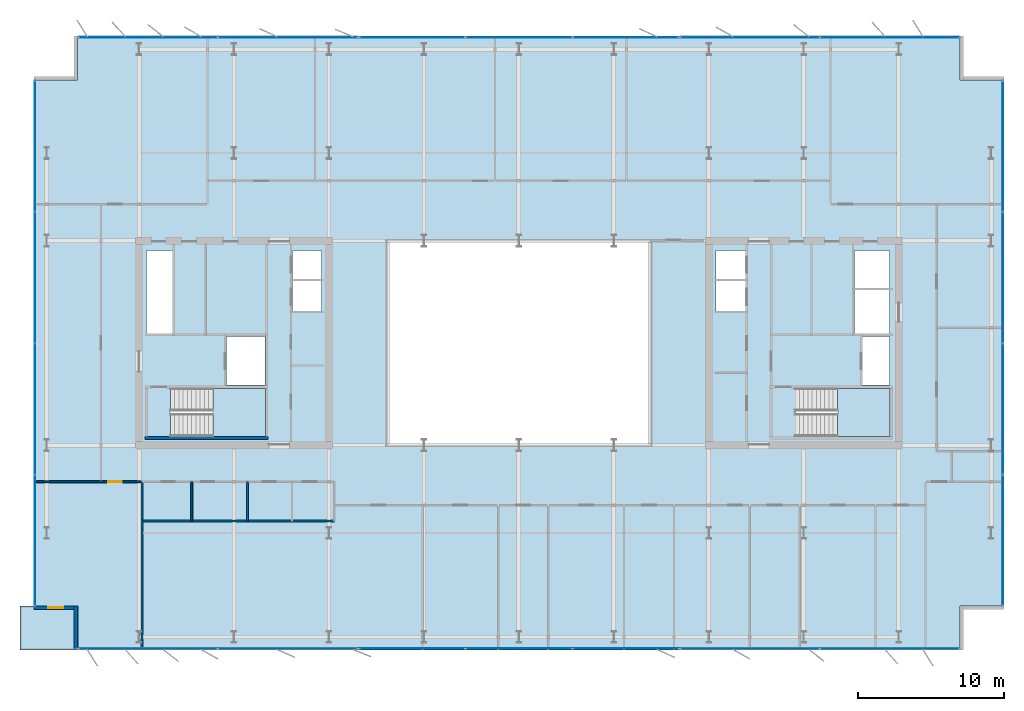
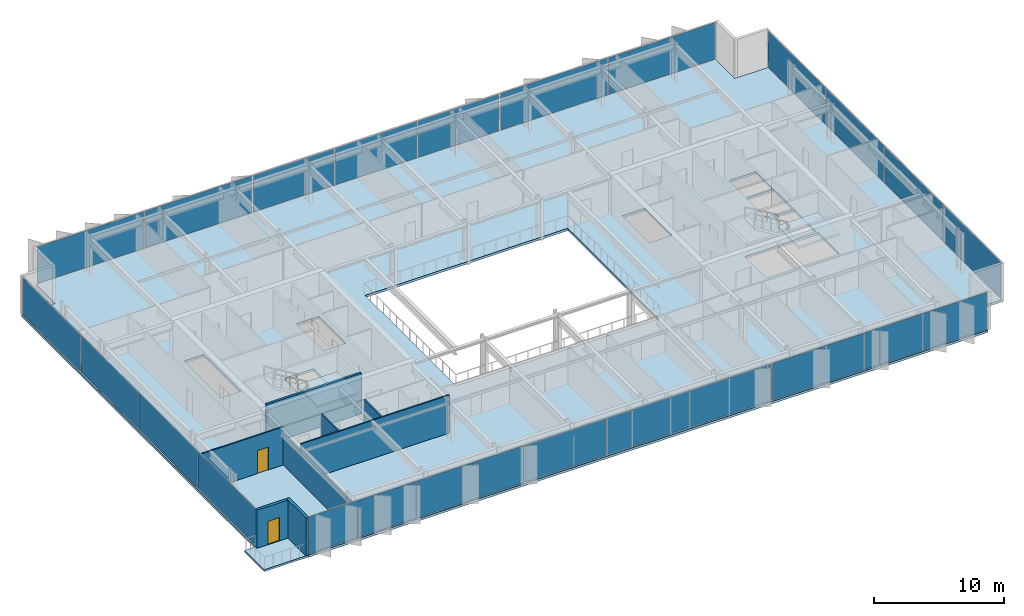
# One storey, part 16 of 24: 22 plates, 8 walls, 4 slabs, 2 doors, 2 openings, 10 elements without a shape of their own.
"""IFC4 building model written with IfcOpenShell, lengths in metres."""

from ifc_helpers import new_model, si_unit, direction, frame, frame_2d, origin, origin_2d, place, context, subcontext, project, spatial, polyline, rectangle, outline, extrude, material, layer, layer_set, type_object, element, fill, aggregate, save


model = new_model("IFC4")

# Units and contexts
model_context = context("Model", 3, precision=1e-05, world=origin(), true_north=direction((0.0, 1.0)))
body_context = subcontext(model_context, "Body", "Model", "MODEL_VIEW")
ifc_project = project(units=[si_unit("LENGTHUNIT", "METRE"), si_unit("AREAUNIT", "SQUARE_METRE"), si_unit("VOLUMEUNIT", "CUBIC_METRE"), si_unit("PLANEANGLEUNIT", "RADIAN"), si_unit("MASSUNIT", "GRAM", prefix="KILO")], contexts=[model_context])

# Site, building, storey
site_placement = place(None, origin())
site = spatial("IfcSite", under=ifc_project, at=site_placement, CompositionType="ELEMENT")
building_placement = place(site_placement, origin())
building = spatial("IfcBuilding", under=site, at=building_placement, Name="Putna Gate Headquarters", CompositionType="ELEMENT")
storey_placement = place(building_placement, frame((0.0, 0.0, 236.60009765625)))
storey = spatial("IfcBuildingStorey", under=building, at=storey_placement, Name="L59", CompositionType="ELEMENT", Elevation=236.60009765625)

# Stair, slab
ifc_material_1 = material(Name="Concrete C40/50", Category="concrete")
stair_type_1 = type_object("IfcStairType", Name="STAIR-ST1", PredefinedType="HALF_TURN_STAIR", material=ifc_material_1)
stair_1_placement = place(storey_placement, origin())
stair_1 = element("IfcStair", 1, at=stair_1_placement, inside=storey, type_object=stair_type_1, Name="L59 West Core Exit Stair ST1", PredefinedType="HALF_TURN_STAIR")
ifc_layer_1 = layer(ifc_material_1, 0.199951171875)
ifc_layer_set_1 = layer_set([ifc_layer_1], Name="Concrete C40/50")
slab_type_1 = type_object("IfcSlabType", Name="LANDING-ST1", PredefinedType="LANDING", material=ifc_layer_set_1)
slab_1_placement = place(storey_placement, frame((0.0, 0.0, 1.699951171875)))
slab_1 = element("IfcSlab", 2, at=slab_1_placement, type_object=slab_type_1, Name="ST1 landing 1", PredefinedType="LANDING", context=body_context, shape_type="SweptSolid", body=[
    extrude(outline(polyline([(18.050048828125, 19.60009765625), (21.64990234375, 19.60009765625), (21.64990234375, 22.89990234375), (18.050048828125, 22.89990234375), (18.050048828125, 19.60009765625)])), origin(), (0.0, 0.0, 1.0), 0.199951171875),
])
aggregate(stair_1, [slab_1])

stair_type_2 = type_object("IfcStairType", Name="STAIR-ST2", PredefinedType="HALF_TURN_STAIR", material=ifc_material_1)
stair_2_placement = place(storey_placement, origin())
stair_2 = element("IfcStair", 3, at=stair_2_placement, inside=storey, type_object=stair_type_2, Name="L59 East Core Exit Stair ST2", PredefinedType="HALF_TURN_STAIR")
ifc_layer_2 = layer(ifc_material_1, 0.199951171875)
ifc_layer_set_2 = layer_set([ifc_layer_2], Name="Concrete C40/50")
slab_type_2 = type_object("IfcSlabType", Name="LANDING-ST2", PredefinedType="LANDING", material=ifc_layer_set_2)
slab_2_placement = place(storey_placement, frame((0.0, 0.0, 1.699951171875)))
slab_2 = element("IfcSlab", 4, at=slab_2_placement, type_object=slab_type_2, Name="ST2 landing 1", PredefinedType="LANDING", context=body_context, shape_type="SweptSolid", body=[
    extrude(outline(polyline([(60.800048828125, 19.60009765625), (64.39990234375, 19.60009765625), (64.39990234375, 22.89990234375), (60.800048828125, 22.89990234375), (60.800048828125, 19.60009765625)])), origin(), (0.0, 0.0, 1.0), 0.199951171875),
])
aggregate(stair_2, [slab_2])

# Curtain wall, plates
ifc_material_2 = material(Name="Anodised bronze aluminium curtain wall", Category="aluminium")
ifc_layer_3 = layer(ifc_material_2, 0.139892578125)
ifc_layer_set_3 = layer_set([ifc_layer_3], Name="Anodised bronze aluminium curtain wall")
curtain_wall_type_1 = type_object("IfcCurtainWallType", Name="CW-SYS-Z4", PredefinedType="USERDEFINED", material=ifc_layer_set_3)
curtain_wall_1_placement = place(storey_placement, origin())
curtain_wall_1 = element("IfcCurtainWall", 5, at=curtain_wall_1_placement, inside=storey, type_object=curtain_wall_type_1, Name="L59 South West Curtain Wall", ObjectType="STICK CURTAIN WALL", PredefinedType="USERDEFINED")
ifc_material_3 = material(Name="Solar-control triple low-E glass", Category="glass")
ifc_layer_4 = layer(ifc_material_3, 0.02587890625)
ifc_layer_set_4 = layer_set([ifc_layer_4], Name="Solar-control triple low-E glass")
plate_type_1 = type_object("IfcPlateType", Name="PAN-CWP-4", PredefinedType="CURTAIN_PANEL", material=ifc_layer_set_4)
plate_1_placement = place(storey_placement, frame((13.614990234375, 5.080078125, 0.059814453125), z_axis=(0.0, 0.0, 1.0), x_axis=(1.0, 0.0, 0.0)))
plate_1 = element("IfcPlate", 6, at=plate_1_placement, type_object=plate_type_1, Name="CWS-4 panel 1.1", PredefinedType="CURTAIN_PANEL", context=body_context, shape_type="SweptSolid", body=[
    extrude(rectangle(XDim=9.510009765625, YDim=0.02587890625, at=origin_2d()), origin(), (0.0, 0.0, 1.0), 3.4599609375),
])
plate_2_placement = place(storey_placement, frame((23.18505859375, 5.080078125, 0.059814453125), z_axis=(0.0, 0.0, 1.0), x_axis=(1.0, 0.0, 0.0)))
plate_2 = element("IfcPlate", 7, at=plate_2_placement, type_object=plate_type_1, Name="CWS-4 panel 2.1", PredefinedType="CURTAIN_PANEL", context=body_context, shape_type="SweptSolid", body=[
    extrude(rectangle(XDim=9.510009765625, YDim=0.02587890625, at=origin_2d()), origin(), (0.0, 0.0, 1.0), 3.4599609375),
])
aggregate(curtain_wall_1, [plate_1, plate_2])

curtain_wall_2_placement = place(storey_placement, origin())
curtain_wall_2 = element("IfcCurtainWall", 8, at=curtain_wall_2_placement, inside=storey, type_object=curtain_wall_type_1, Name="L59 South East Curtain Wall", ObjectType="STICK CURTAIN WALL", PredefinedType="USERDEFINED")
plate_3_placement = place(storey_placement, frame((54.81494140625, 5.080078125, 0.059814453125), z_axis=(0.0, 0.0, 1.0), x_axis=(1.0, 0.0, 0.0)))
plate_3 = element("IfcPlate", 9, at=plate_3_placement, type_object=plate_type_1, Name="CWS-4 panel 1.1", PredefinedType="CURTAIN_PANEL", context=body_context, shape_type="SweptSolid", body=[
    extrude(rectangle(XDim=9.510009765625, YDim=0.02587890625, at=origin_2d()), origin(), (0.0, 0.0, 1.0), 3.4599609375),
])
plate_4_placement = place(storey_placement, frame((64.385009765625, 5.080078125, 0.059814453125), z_axis=(0.0, 0.0, 1.0), x_axis=(1.0, 0.0, 0.0)))
plate_4 = element("IfcPlate", 10, at=plate_4_placement, type_object=plate_type_1, Name="CWS-4 panel 2.1", PredefinedType="CURTAIN_PANEL", context=body_context, shape_type="SweptSolid", body=[
    extrude(rectangle(XDim=9.510009765625, YDim=0.02587890625, at=origin_2d()), origin(), (0.0, 0.0, 1.0), 3.4599609375),
])
aggregate(curtain_wall_2, [plate_3, plate_4])

curtain_wall_3_placement = place(storey_placement, origin())
curtain_wall_3 = element("IfcCurtainWall", 11, at=curtain_wall_3_placement, inside=storey, type_object=curtain_wall_type_1, Name="L59 North West Curtain Wall", ObjectType="STICK CURTAIN WALL", PredefinedType="USERDEFINED")
plate_5_placement = place(storey_placement, frame((13.614990234375, 46.919921875, 0.059814453125), z_axis=(0.0, 0.0, 1.0), x_axis=(1.0, 0.0, 0.0)))
plate_5 = element("IfcPlate", 12, at=plate_5_placement, type_object=plate_type_1, Name="CWS-4 panel 1.1", PredefinedType="CURTAIN_PANEL", context=body_context, shape_type="SweptSolid", body=[
    extrude(rectangle(XDim=9.510009765625, YDim=0.02587890625, at=origin_2d()), origin(), (0.0, 0.0, 1.0), 3.4599609375),
])
plate_6_placement = place(storey_placement, frame((23.18505859375, 46.919921875, 0.059814453125), z_axis=(0.0, 0.0, 1.0), x_axis=(1.0, 0.0, 0.0)))
plate_6 = element("IfcPlate", 13, at=plate_6_placement, type_object=plate_type_1, Name="CWS-4 panel 2.1", PredefinedType="CURTAIN_PANEL", context=body_context, shape_type="SweptSolid", body=[
    extrude(rectangle(XDim=9.510009765625, YDim=0.02587890625, at=origin_2d()), origin(), (0.0, 0.0, 1.0), 3.4599609375),
])
aggregate(curtain_wall_3, [plate_5, plate_6])

curtain_wall_4_placement = place(storey_placement, origin())
curtain_wall_4 = element("IfcCurtainWall", 14, at=curtain_wall_4_placement, inside=storey, type_object=curtain_wall_type_1, Name="L59 North East Curtain Wall", ObjectType="STICK CURTAIN WALL", PredefinedType="USERDEFINED")
plate_7_placement = place(storey_placement, frame((54.81494140625, 46.919921875, 0.059814453125), z_axis=(0.0, 0.0, 1.0), x_axis=(1.0, 0.0, 0.0)))
plate_7 = element("IfcPlate", 15, at=plate_7_placement, type_object=plate_type_1, Name="CWS-4 panel 1.1", PredefinedType="CURTAIN_PANEL", context=body_context, shape_type="SweptSolid", body=[
    extrude(rectangle(XDim=9.510009765625, YDim=0.02587890625, at=origin_2d()), origin(), (0.0, 0.0, 1.0), 3.4599609375),
])
plate_8_placement = place(storey_placement, frame((64.385009765625, 46.919921875, 0.059814453125), z_axis=(0.0, 0.0, 1.0), x_axis=(1.0, 0.0, 0.0)))
plate_8 = element("IfcPlate", 16, at=plate_8_placement, type_object=plate_type_1, Name="CWS-4 panel 2.1", PredefinedType="CURTAIN_PANEL", context=body_context, shape_type="SweptSolid", body=[
    extrude(rectangle(XDim=9.510009765625, YDim=0.02587890625, at=origin_2d()), origin(), (0.0, 0.0, 1.0), 3.4599609375),
])
aggregate(curtain_wall_4, [plate_7, plate_8])

curtain_wall_5_placement = place(storey_placement, origin())
curtain_wall_5 = element("IfcCurtainWall", 17, at=curtain_wall_5_placement, inside=storey, type_object=curtain_wall_type_1, Name="L59 West Curtain Wall", ObjectType="STICK CURTAIN WALL", PredefinedType="USERDEFINED")
plate_9_placement = place(storey_placement, frame((5.8798828125, 12.514892578125, 0.059814453125), z_axis=(0.0, 0.0, 1.0), x_axis=(0.0, 1.0, 0.0)))
plate_9 = element("IfcPlate", 18, at=plate_9_placement, type_object=plate_type_1, Name="CWS-4 panel 1.1", PredefinedType="CURTAIN_PANEL", context=body_context, shape_type="SweptSolid", body=[
    extrude(rectangle(XDim=8.909912109375, YDim=0.02587890625, at=origin_2d()), origin(), (0.0, 0.0, 1.0), 3.4599609375),
])
plate_10_placement = place(storey_placement, frame((5.8798828125, 21.5, 0.059814453125), z_axis=(0.0, 0.0, 1.0), x_axis=(0.0, 1.0, 0.0)))
plate_10 = element("IfcPlate", 19, at=plate_10_placement, type_object=plate_type_1, Name="CWS-4 panel 2.1", PredefinedType="CURTAIN_PANEL", context=body_context, shape_type="SweptSolid", body=[
    extrude(rectangle(XDim=8.93994140625, YDim=0.02587890625, at=origin_2d()), origin(), (0.0, 0.0, 1.0), 3.4599609375),
])
plate_11_placement = place(storey_placement, frame((5.8798828125, 30.5, 0.059814453125), z_axis=(0.0, 0.0, 1.0), x_axis=(0.0, 1.0, 0.0)))
plate_11 = element("IfcPlate", 20, at=plate_11_placement, type_object=plate_type_1, Name="CWS-4 panel 3.1", PredefinedType="CURTAIN_PANEL", context=body_context, shape_type="SweptSolid", body=[
    extrude(rectangle(XDim=8.93994140625, YDim=0.02587890625, at=origin_2d()), origin(), (0.0, 0.0, 1.0), 3.4599609375),
])
plate_12_placement = place(storey_placement, frame((5.8798828125, 39.485107421875, 0.059814453125), z_axis=(0.0, 0.0, 1.0), x_axis=(0.0, 1.0, 0.0)))
plate_12 = element("IfcPlate", 21, at=plate_12_placement, type_object=plate_type_1, Name="CWS-4 panel 4.1", PredefinedType="CURTAIN_PANEL", context=body_context, shape_type="SweptSolid", body=[
    extrude(rectangle(XDim=8.909912109375, YDim=0.02587890625, at=origin_2d()), origin(), (0.0, 0.0, 1.0), 3.4599609375),
])
aggregate(curtain_wall_5, [plate_9, plate_10, plate_11, plate_12])

curtain_wall_6_placement = place(storey_placement, origin())
curtain_wall_6 = element("IfcCurtainWall", 22, at=curtain_wall_6_placement, inside=storey, type_object=curtain_wall_type_1, Name="L59 East Curtain Wall", ObjectType="STICK CURTAIN WALL", PredefinedType="USERDEFINED")
plate_13_placement = place(storey_placement, frame((72.1201171875, 12.514892578125, 0.059814453125), z_axis=(0.0, 0.0, 1.0), x_axis=(0.0, 1.0, 0.0)))
plate_13 = element("IfcPlate", 23, at=plate_13_placement, type_object=plate_type_1, Name="CWS-4 panel 1.1", PredefinedType="CURTAIN_PANEL", context=body_context, shape_type="SweptSolid", body=[
    extrude(rectangle(XDim=8.909912109375, YDim=0.02587890625, at=origin_2d()), origin(), (0.0, 0.0, 1.0), 3.4599609375),
])
plate_14_placement = place(storey_placement, frame((72.1201171875, 21.5, 0.059814453125), z_axis=(0.0, 0.0, 1.0), x_axis=(0.0, 1.0, 0.0)))
plate_14 = element("IfcPlate", 24, at=plate_14_placement, type_object=plate_type_1, Name="CWS-4 panel 2.1", PredefinedType="CURTAIN_PANEL", context=body_context, shape_type="SweptSolid", body=[
    extrude(rectangle(XDim=8.93994140625, YDim=0.02587890625, at=origin_2d()), origin(), (0.0, 0.0, 1.0), 3.4599609375),
])
plate_15_placement = place(storey_placement, frame((72.1201171875, 30.5, 0.059814453125), z_axis=(0.0, 0.0, 1.0), x_axis=(0.0, 1.0, 0.0)))
plate_15 = element("IfcPlate", 25, at=plate_15_placement, type_object=plate_type_1, Name="CWS-4 panel 3.1", PredefinedType="CURTAIN_PANEL", context=body_context, shape_type="SweptSolid", body=[
    extrude(rectangle(XDim=8.93994140625, YDim=0.02587890625, at=origin_2d()), origin(), (0.0, 0.0, 1.0), 3.4599609375),
])
plate_16_placement = place(storey_placement, frame((72.1201171875, 39.485107421875, 0.059814453125), z_axis=(0.0, 0.0, 1.0), x_axis=(0.0, 1.0, 0.0)))
plate_16 = element("IfcPlate", 26, at=plate_16_placement, type_object=plate_type_1, Name="CWS-4 panel 4.1", PredefinedType="CURTAIN_PANEL", context=body_context, shape_type="SweptSolid", body=[
    extrude(rectangle(XDim=8.909912109375, YDim=0.02587890625, at=origin_2d()), origin(), (0.0, 0.0, 1.0), 3.4599609375),
])
aggregate(curtain_wall_6, [plate_13, plate_14, plate_15, plate_16])

ifc_layer_5 = layer(ifc_material_2, 0.179931640625)
ifc_layer_set_5 = layer_set([ifc_layer_5], Name="Anodised bronze aluminium curtain wall")
curtain_wall_type_2 = type_object("IfcCurtainWallType", Name="CW-SYS-ATR", PredefinedType="USERDEFINED", material=ifc_layer_set_5)
curtain_wall_7_placement = place(storey_placement, origin())
curtain_wall_7 = element("IfcCurtainWall", 27, at=curtain_wall_7_placement, inside=storey, type_object=curtain_wall_type_2, Name="L59 South Atrium Clear Glazing", ObjectType="ATRIUM GLAZING", PredefinedType="USERDEFINED")
ifc_material_4 = material(Name="Clear low-iron triple glazing", Category="glass")
ifc_layer_6 = layer(ifc_material_4, 0.0400390625)
ifc_layer_set_6 = layer_set([ifc_layer_6], Name="Clear low-iron triple glazing")
plate_type_2 = type_object("IfcPlateType", Name="PAN-CWP-AT", PredefinedType="CURTAIN_PANEL", material=ifc_layer_set_6)
plate_17_placement = place(storey_placement, frame((31.68408203125, 5.080078125, 0.06982421875), z_axis=(0.0, 0.0, 1.0), x_axis=(1.0, 0.0, 0.0)))
plate_17 = element("IfcPlate", 28, at=plate_17_placement, type_object=plate_type_2, Name="CWS-AT panel 1.1", PredefinedType="CURTAIN_PANEL", context=body_context, shape_type="SweptSolid", body=[
    extrude(rectangle(XDim=7.228271484375, YDim=0.0400390625, at=origin_2d()), origin(), (0.0, 0.0, 1.0), 3.43994140625),
])
plate_18_placement = place(storey_placement, frame((39.0, 5.080078125, 0.06982421875), z_axis=(0.0, 0.0, 1.0), x_axis=(1.0, 0.0, 0.0)))
plate_18 = element("IfcPlate", 29, at=plate_18_placement, type_object=plate_type_2, Name="CWS-AT panel 2.1", PredefinedType="CURTAIN_PANEL", context=body_context, shape_type="SweptSolid", body=[
    extrude(rectangle(XDim=7.263427734375, YDim=0.0400390625, at=origin_2d()), origin(), (0.0, 0.0, 1.0), 3.43994140625),
])
plate_19_placement = place(storey_placement, frame((46.31591796875, 5.080078125, 0.06982421875), z_axis=(0.0, 0.0, 1.0), x_axis=(1.0, 0.0, 0.0)))
plate_19 = element("IfcPlate", 30, at=plate_19_placement, type_object=plate_type_2, Name="CWS-AT panel 3.1", PredefinedType="CURTAIN_PANEL", context=body_context, shape_type="SweptSolid", body=[
    extrude(rectangle(XDim=7.228271484375, YDim=0.0400390625, at=origin_2d()), origin(), (0.0, 0.0, 1.0), 3.43994140625),
])
aggregate(curtain_wall_7, [plate_17, plate_18, plate_19])

curtain_wall_8_placement = place(storey_placement, origin())
curtain_wall_8 = element("IfcCurtainWall", 31, at=curtain_wall_8_placement, inside=storey, type_object=curtain_wall_type_2, Name="L59 North Atrium Clear Glazing", ObjectType="ATRIUM GLAZING", PredefinedType="USERDEFINED")
plate_20_placement = place(storey_placement, frame((31.68408203125, 46.919921875, 0.06982421875), z_axis=(0.0, 0.0, 1.0), x_axis=(1.0, 0.0, 0.0)))
plate_20 = element("IfcPlate", 32, at=plate_20_placement, type_object=plate_type_2, Name="CWS-AT panel 1.1", PredefinedType="CURTAIN_PANEL", context=body_context, shape_type="SweptSolid", body=[
    extrude(rectangle(XDim=7.228271484375, YDim=0.0400390625, at=origin_2d()), origin(), (0.0, 0.0, 1.0), 3.43994140625),
])
plate_21_placement = place(storey_placement, frame((39.0, 46.919921875, 0.06982421875), z_axis=(0.0, 0.0, 1.0), x_axis=(1.0, 0.0, 0.0)))
plate_21 = element("IfcPlate", 33, at=plate_21_placement, type_object=plate_type_2, Name="CWS-AT panel 2.1", PredefinedType="CURTAIN_PANEL", context=body_context, shape_type="SweptSolid", body=[
    extrude(rectangle(XDim=7.263427734375, YDim=0.0400390625, at=origin_2d()), origin(), (0.0, 0.0, 1.0), 3.43994140625),
])
plate_22_placement = place(storey_placement, frame((46.31591796875, 46.919921875, 0.06982421875), z_axis=(0.0, 0.0, 1.0), x_axis=(1.0, 0.0, 0.0)))
plate_22 = element("IfcPlate", 34, at=plate_22_placement, type_object=plate_type_2, Name="CWS-AT panel 3.1", PredefinedType="CURTAIN_PANEL", context=body_context, shape_type="SweptSolid", body=[
    extrude(rectangle(XDim=7.228271484375, YDim=0.0400390625, at=origin_2d()), origin(), (0.0, 0.0, 1.0), 3.43994140625),
])
aggregate(curtain_wall_8, [plate_20, plate_21, plate_22])

# Slabs
ifc_layer_7 = layer(ifc_material_1, 0.179931640625)
ifc_layer_set_7 = layer_set([ifc_layer_7], Name="Concrete C40/50")
slab_type_3 = type_object("IfcSlabType", Name="SLAB-TERRACE-180", PredefinedType="FLOOR", material=ifc_layer_set_7)
slab_3_placement = place(storey_placement, frame((0.0, 0.0, -0.18017578125)))
element("IfcSlab", 35, at=slab_3_placement, inside=storey, type_object=slab_type_3, Name="L59 Spiral Sky-Garden Terrace Slab (SW)", PredefinedType="FLOOR", context=body_context, shape_type="SweptSolid", body=[
    extrude(outline(polyline([(4.85009765625, 5.0), (8.80810546875, 5.0), (8.80810546875, 8.008056640625), (4.85009765625, 8.008056640625), (4.85009765625, 5.0)])), origin(), (0.0, 0.0, 1.0), 0.18017578125),
])
ifc_layer_8 = layer(ifc_material_1, 0.219970703125)
ifc_layer_set_8 = layer_set([ifc_layer_8], Name="Concrete C40/50")
slab_type_4 = type_object("IfcSlabType", Name="SLAB-Z4-220", PredefinedType="FLOOR", material=ifc_layer_set_8)
slab_4_placement = place(storey_placement, frame((0.0, 0.0, -0.22021484375)))
element("IfcSlab", 36, at=slab_4_placement, inside=storey, type_object=slab_type_4, Name="L59 Composite Floor Slab", PredefinedType="FLOOR", context=body_context, shape_type="SweptSolid", body=[
    extrude(outline(polyline([(8.800048828125, 5.0), (69.199951171875, 5.0), (69.199951171875, 8.0), (72.199951171875, 8.0), (72.199951171875, 44.0), (69.199951171875, 44.0), (69.199951171875, 47.0), (8.800048828125, 47.0), (8.800048828125, 44.0), (5.800048828125, 44.0), (5.800048828125, 8.0), (8.800048828125, 8.0), (8.800048828125, 5.0)]), holes=[polyline([(15.1650390625, 19.60009765625), (21.64990234375, 19.60009765625), (21.64990234375, 22.89990234375), (15.1650390625, 22.89990234375), (15.1650390625, 19.60009765625)]), polyline([(57.9150390625, 19.60009765625), (64.39990234375, 19.60009765625), (64.39990234375, 22.89990234375), (57.9150390625, 22.89990234375), (57.9150390625, 19.60009765625)]), polyline([(13.52001953125, 26.659912109375), (15.280029296875, 26.659912109375), (15.280029296875, 32.35009765625), (13.52001953125, 32.35009765625), (13.52001953125, 26.659912109375)]), polyline([(61.969970703125, 29.780029296875), (64.35009765625, 29.780029296875), (64.35009765625, 32.35009765625), (61.969970703125, 32.35009765625), (61.969970703125, 29.780029296875)]), polyline([(18.97998046875, 23.1201171875), (21.6201171875, 23.1201171875), (21.6201171875, 26.4599609375), (18.97998046875, 26.4599609375), (18.97998046875, 23.1201171875)]), polyline([(62.52001953125, 23.1201171875), (64.35009765625, 23.1201171875), (64.35009765625, 26.4599609375), (62.52001953125, 26.4599609375), (62.52001953125, 23.1201171875)]), polyline([(61.969970703125, 26.659912109375), (64.35009765625, 26.659912109375), (64.35009765625, 29.6201171875), (61.969970703125, 29.6201171875), (61.969970703125, 26.659912109375)]), polyline([(23.5, 28.199951171875), (25.5, 28.199951171875), (25.5, 32.35009765625), (23.5, 32.35009765625), (23.5, 28.199951171875)]), polyline([(52.47998046875, 28.199951171875), (54.5, 28.199951171875), (54.5, 32.35009765625), (52.47998046875, 32.35009765625), (52.47998046875, 28.199951171875)]), polyline([(30.0, 19.0), (48.0, 19.0), (48.0, 33.0), (30.0, 33.0), (30.0, 19.0)])]), origin(), (0.0, 0.0, 1.0), 0.22021484375),
])

# Wall
ifc_material_5 = material(Name="Precast concrete C40/50", Category="concrete")
ifc_layer_9 = layer(ifc_material_5, 0.239990234375)
ifc_layer_set_9 = layer_set([ifc_layer_9], Name="Precast concrete C40/50")
wall_type_1 = type_object("IfcWallType", Name="WALL-EXT-TERR-240", PredefinedType="STANDARD", material=ifc_layer_set_9)
wall_1_placement = place(storey_placement, frame((8.679931640625, 5.0, 0.0), z_axis=(0.0, 0.0, 1.0), x_axis=(0.0, 1.0, 0.0)))
element("IfcWall", 37, at=wall_1_placement, inside=storey, type_object=wall_type_1, Name="L59 Corner Notch Return Wall SW-V", PredefinedType="STANDARD", context=body_context, shape_type="SweptSolid", body=[
    extrude(rectangle(XDim=3.0, YDim=0.239990234375, at=frame_2d((1.5, 0.0))), origin(), (0.0, 0.0, 1.0), 3.579833984375),
])

# Wall, opening, door
wall_2_placement = place(storey_placement, frame((8.800048828125, 7.8798828125, 0.0), z_axis=(0.0, 0.0, 1.0), x_axis=(-1.0, 0.0, 0.0)))
wall_2 = element("IfcWall", 38, at=wall_2_placement, inside=storey, type_object=wall_type_1, Name="L59 Corner Notch Return Wall SW-H", PredefinedType="STANDARD", context=body_context, shape_type="SweptSolid", body=[
    extrude(rectangle(XDim=3.0, YDim=0.239990234375, at=frame_2d((1.5, 0.0))), origin(), (0.0, 0.0, 1.0), 3.579833984375),
])
opening_1_placement = place(wall_2_placement, frame((1.0, 0.0, 0.0)))
opening_1 = element("IfcOpeningElement", 39, at=opening_1_placement, cuts=wall_2, Name="Opening TRD-1", PredefinedType="OPENING", context=body_context, shape_type="SweptSolid", body=[
    extrude(rectangle(XDim=1.0, YDim=2.199951171875, at=frame_2d((0.5, 1.10009765625))), frame((0.0, 0.1298828125, 0.0), z_axis=(0.0, -1.0, 0.0), x_axis=(1.0, 0.0, 0.0)), (0.0, 0.0, 1.0), 0.260009765625),
])
ifc_material_6 = material(Name="Thermally broken bronze glazed terrace door")
door_type_1 = type_object("IfcDoorType", Name="DOOR-TERR-EXT-1000", OperationType="NOTDEFINED", PredefinedType="DOOR", material=ifc_material_6)
door_1_placement = place(opening_1_placement, origin())
door_1 = element("IfcDoor", 40, at=door_1_placement, inside=storey, type_object=door_type_1, Name="L59 Spiral Sky Terrace Door SW", OperationType="SINGLE_SWING_LEFT", OverallHeight=2.199951171875, OverallWidth=1.0, PredefinedType="DOOR", context=body_context, shape_type="SweptSolid", body=[
    extrude(rectangle(XDim=1.0, YDim=2.199951171875, at=frame_2d((0.5, 1.10009765625))), frame((0.0, 0.02490234375, 0.0), z_axis=(0.0, -1.0, 0.0), x_axis=(1.0, 0.0, 0.0)), (0.0, 0.0, 1.0), 0.050048828125),
])
fill(opening_1, door_1)

# Walls
ifc_material_7 = material(Name="Acoustic gypsum board on metal stud")
ifc_layer_10 = layer(ifc_material_7, 0.1201171875)
ifc_layer_set_10 = layer_set([ifc_layer_10], Name="Acoustic gypsum board on metal stud")
wall_type_2 = type_object("IfcWallType", Name="WALL-PART-120", PredefinedType="PARTITIONING", material=ifc_layer_set_10)
wall_3_placement = place(storey_placement, frame((13.199951171875, 5.02001953125, 0.0), z_axis=(0.0, 0.0, 1.0), x_axis=(0.0, 1.0, 0.0)))
element("IfcWall", 41, at=wall_3_placement, inside=storey, type_object=wall_type_2, Name="L59 Interior Wall PART-L59-SB-DIV-01", PredefinedType="PARTITIONING", context=body_context, shape_type="SweptSolid", body=[
    extrude(rectangle(XDim=11.419921875, YDim=0.1201171875, at=frame_2d((5.7099609375, 0.0))), origin(), (0.0, 0.0, 1.0), 2.8798828125),
])
ifc_material_8 = material(Name="Fire-rated gypsum board on metal stud")
ifc_layer_11 = layer(ifc_material_8, 0.1201171875)
ifc_layer_set_11 = layer_set([ifc_layer_11], Name="Fire-rated gypsum board on metal stud")
wall_type_3 = type_object("IfcWallType", Name="WALL-PART-120-RATED", PredefinedType="PARTITIONING", material=ifc_layer_set_11)
wall_4_placement = place(storey_placement, frame((13.199951171875, 13.820068359375, 0.0), z_axis=(0.0, 0.0, 1.0), x_axis=(1.0, 0.0, 0.0)))
element("IfcWall", 42, at=wall_4_placement, inside=storey, type_object=wall_type_3, Name="L59 Interior Wall PART-L59-SAN-BACK", PredefinedType="PARTITIONING", context=body_context, shape_type="SweptSolid", body=[
    extrude(rectangle(XDim=13.16015625, YDim=0.1201171875, at=frame_2d((6.580078125, 0.0))), origin(), (0.0, 0.0, 1.0), 3.579833984375),
])
for number, where, z_axis, x_axis, name in (
    (43, (16.60009765625, 13.820068359375, 0.0), (0.0, 0.0, 1.0), (0.0, 1.0, 0.0), "L59 Interior Wall PART-L59-SAN-DIV-1"),
    (44, (20.419921875, 13.820068359375, 0.0), (0.0, 0.0, 1.0), (0.0, 1.0, 0.0), "L59 Interior Wall PART-L59-SAN-DIV-2"),
):
    element("IfcWall", number, at=place(storey_placement, frame(where, z_axis=z_axis, x_axis=x_axis)), inside=storey, type_object=wall_type_3, Name=name, PredefinedType="PARTITIONING", context=body_context, shape_type="SweptSolid", body=[
        extrude(rectangle(XDim=2.679931640625, YDim=0.1201171875, at=frame_2d((1.33984375, 0.0))), origin(), (0.0, 0.0, 1.0), 3.579833984375),
    ])

# Wall, opening, door
wall_5_placement = place(storey_placement, frame((5.97998046875, 16.5, 0.0), z_axis=(0.0, 0.0, 1.0), x_axis=(1.0, 0.0, 0.0)))
wall_5 = element("IfcWall", 45, at=wall_5_placement, inside=storey, type_object=wall_type_3, Name="L59 Interior Wall PART-L59-SB-CW-01", PredefinedType="PARTITIONING", context=body_context, shape_type="SweptSolid", body=[
    extrude(rectangle(XDim=7.159912109375, YDim=0.1201171875, at=frame_2d((3.580078125, 0.0))), origin(), (0.0, 0.0, 1.0), 3.579833984375),
])
opening_2_placement = place(wall_5_placement, frame((4.89990234375, 0.0, 0.0)))
opening_2 = element("IfcOpeningElement", 46, at=opening_2_placement, cuts=wall_5, Name="Opening FD-95", PredefinedType="OPENING", context=body_context, shape_type="SweptSolid", body=[
    extrude(rectangle(XDim=0.949951171875, YDim=2.14990234375, at=frame_2d((0.47509765625, 1.074951171875))), frame((0.0, 0.070068359375, 0.0), z_axis=(0.0, -1.0, 0.0), x_axis=(1.0, 0.0, 0.0)), (0.0, 0.0, 1.0), 0.14013671875),
])
ifc_material_9 = material(Name="Acoustic timber fire door", Category="wood")
door_type_2 = type_object("IfcDoorType", Name="DOOR-FIRE-950", OperationType="NOTDEFINED", PredefinedType="DOOR", material=ifc_material_9)
door_2_placement = place(opening_2_placement, origin())
door_2 = element("IfcDoor", 47, at=door_2_placement, inside=storey, type_object=door_type_2, Name="L59 Conference Meeting Room 2 Door", OperationType="SINGLE_SWING_RIGHT", OverallHeight=2.14990234375, OverallWidth=0.949951171875, PredefinedType="DOOR", context=body_context, shape_type="SweptSolid", body=[
    extrude(rectangle(XDim=0.949951171875, YDim=2.14990234375, at=frame_2d((0.47509765625, 1.074951171875))), frame((0.0, 0.02490234375, 0.0), z_axis=(0.0, -1.0, 0.0), x_axis=(1.0, 0.0, 0.0)), (0.0, 0.0, 1.0), 0.050048828125),
])
fill(opening_2, door_2)

# Wall
ifc_layer_12 = layer(ifc_material_1, 0.199951171875)
ifc_layer_set_12 = layer_set([ifc_layer_12], Name="Concrete C40/50")
wall_type_4 = type_object("IfcWallType", Name="WALL-SHAFT-RC200", PredefinedType="SHEAR", material=ifc_layer_set_12)
wall_6_placement = place(storey_placement, frame((13.409912109375, 19.510009765625, 0.0), z_axis=(0.0, 0.0, 1.0), x_axis=(1.0, 0.0, 0.0)))
element("IfcWall", 48, at=wall_6_placement, inside=storey, type_object=wall_type_4, Name="L59 Stair ST1 Structural Shaft Wall S", PredefinedType="SHEAR", context=body_context, shape_type="SweptSolid", body=[
    extrude(rectangle(XDim=8.43017578125, YDim=0.199951171875, at=frame_2d((4.215087890625, 0.0))), origin(), (0.0, 0.0, 1.0), 3.7998046875),
])

save(model, "model.ifc")
